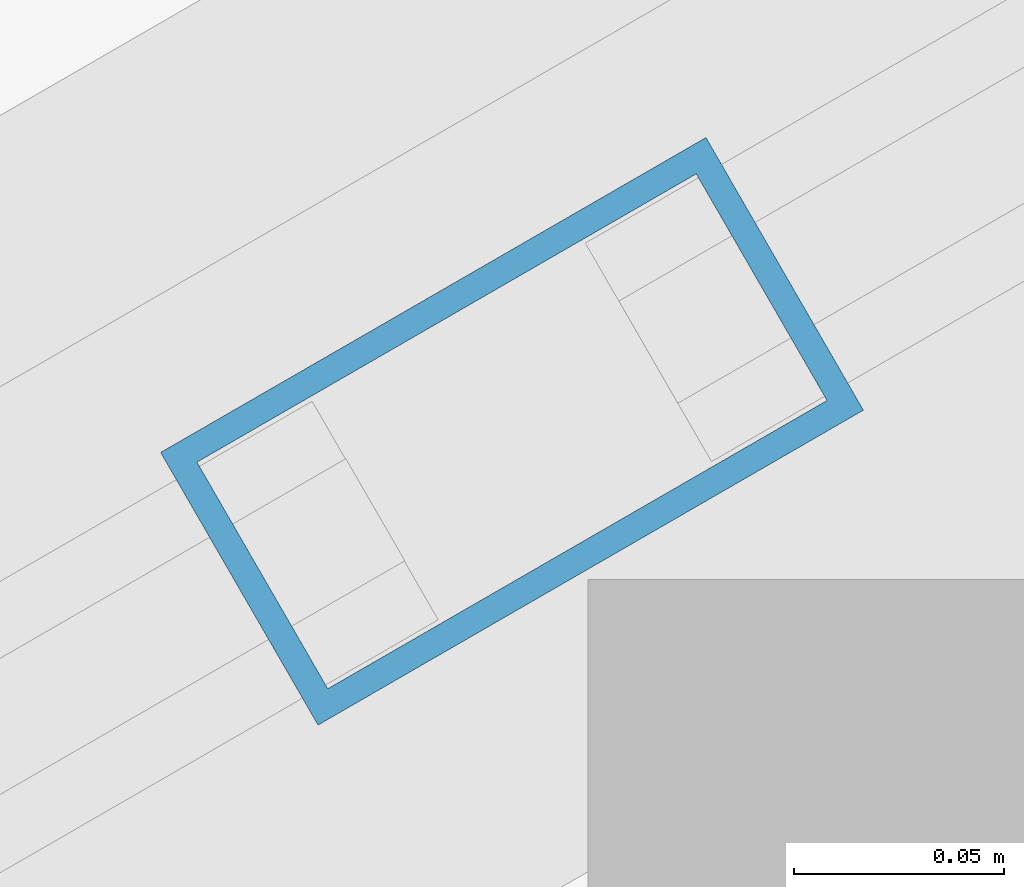
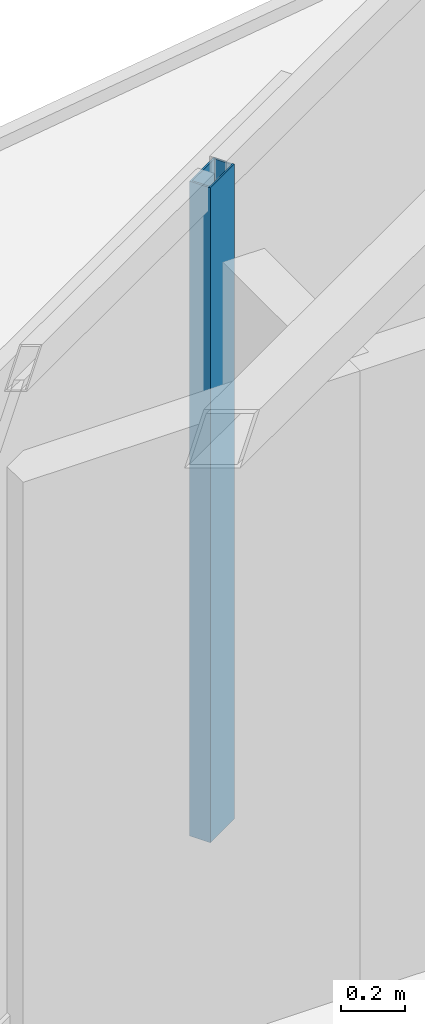
# One storey, part 8 of 21: 1 member, 1 element without a shape of its own.
"""IFC4 building model written with IfcOpenShell, lengths in metres."""

from ifc_helpers import new_model, si_unit, direction, frame, origin, origin_2d, place, context, subcontext, project, spatial, hollow_rectangle, extrude, material, layer, layer_set, material_profile, profile_set, type_object, element, aggregate, save


model = new_model("IFC4")

# Units and contexts
model_context = context("Model", 3, precision=1e-05, world=origin(), true_north=direction((0.0, 1.0)))
body_context = subcontext(model_context, "Body", "Model", "MODEL_VIEW")
ifc_project = project(units=[si_unit("LENGTHUNIT", "METRE"), si_unit("AREAUNIT", "SQUARE_METRE"), si_unit("VOLUMEUNIT", "CUBIC_METRE"), si_unit("PLANEANGLEUNIT", "RADIAN"), si_unit("MASSUNIT", "GRAM", prefix="KILO")], contexts=[model_context])

# Site, building, storey
site_placement = place(None, origin())
site = spatial("IfcSite", under=ifc_project, at=site_placement, CompositionType="ELEMENT")
building_placement = place(site_placement, origin())
building = spatial("IfcBuilding", under=site, at=building_placement, Name="Mersakhor Tower and Convention Hall", CompositionType="ELEMENT")
storey_placement = place(building_placement, frame((0.0, 0.0, 185.39990234375)))
storey = spatial("IfcBuildingStorey", under=building, at=storey_placement, Name="L51", CompositionType="ELEMENT", Elevation=185.39990234375)

# Curtain wall, member
ifc_material_1 = material(Name="Dark solar low-E aluminium curtain wall", Category="aluminium")
ifc_layer = layer(ifc_material_1, 0.169921875)
ifc_layer_set = layer_set([ifc_layer], Name="Dark solar low-E aluminium curtain wall")
curtain_wall_type = type_object("IfcCurtainWallType", Name="CW-SYS-02", PredefinedType="USERDEFINED", material=ifc_layer_set)
curtain_wall_placement = place(storey_placement, origin())
curtain_wall = element("IfcCurtainWall", 1, at=curtain_wall_placement, inside=storey, type_object=curtain_wall_type, Name="L51 Dark-Glass Curtain Wall F1-B2", ObjectType="CURTAIN WALL", PredefinedType="USERDEFINED")
ifc_material_2 = material(Name="Anodised aluminium EN AW-6063 T6", Category="aluminium")
ifc_material_profile = material_profile(ifc_material_2, hollow_rectangle(XDim=0.074951171875, YDim=0.14990234375, WallThickness=0.00634765625, at=origin_2d()), Name="RHS 150x75x6.3")
ifc_profile_set = profile_set([ifc_material_profile], Name="Anodised aluminium EN AW-6063 T6")
member_type = type_object("IfcMemberType", Name="CWM-150x75", PredefinedType="MULLION", material=ifc_profile_set)
member_placement = place(storey_placement, frame((21.906982421875, 36.035888671875, 0.2001953125), z_axis=(0.0, 0.0, 1.0), x_axis=(-0.500007824483, 0.86602088627, 0.0)))
member = element("IfcMember", 2, at=member_placement, type_object=member_type, Name="CW-02 mullion 2", PredefinedType="MULLION", context=body_context, shape_type="SweptSolid", body=[
    extrude(hollow_rectangle(XDim=0.074951171875, YDim=0.14990234375, WallThickness=0.00634765625, at=origin_2d()), origin(), (0.0, 0.0, 1.0), 2.489990234375),
])
aggregate(curtain_wall, [member])

save(model, "model.ifc")
